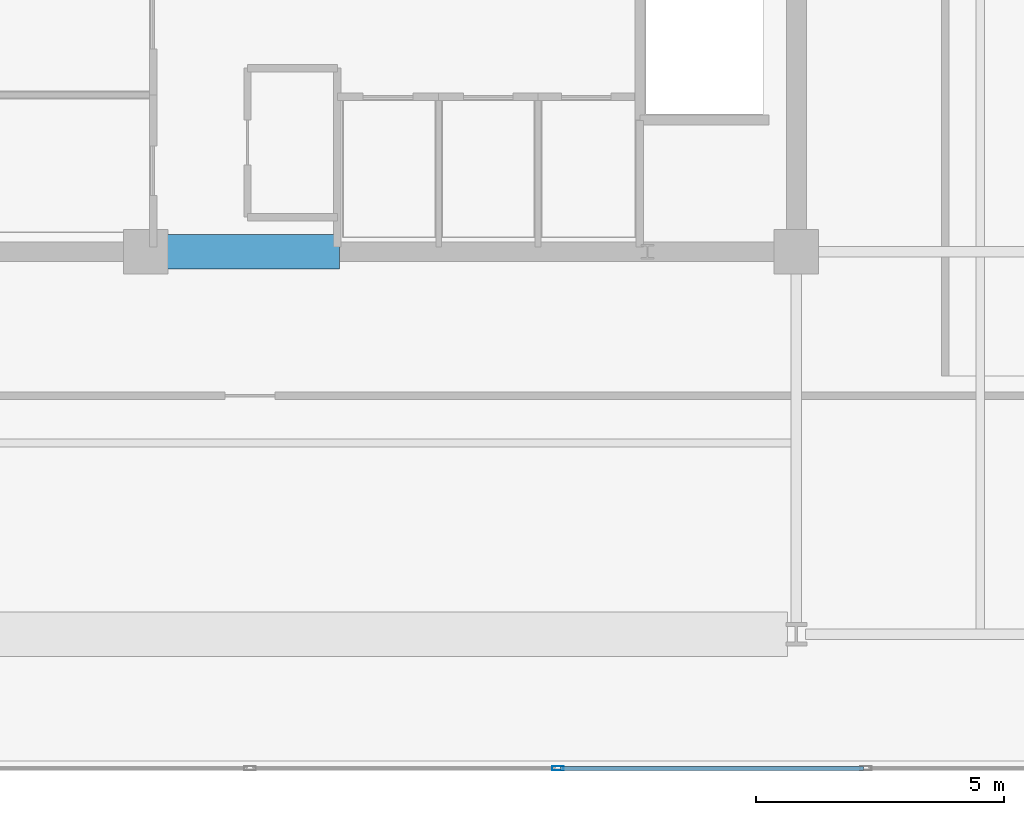
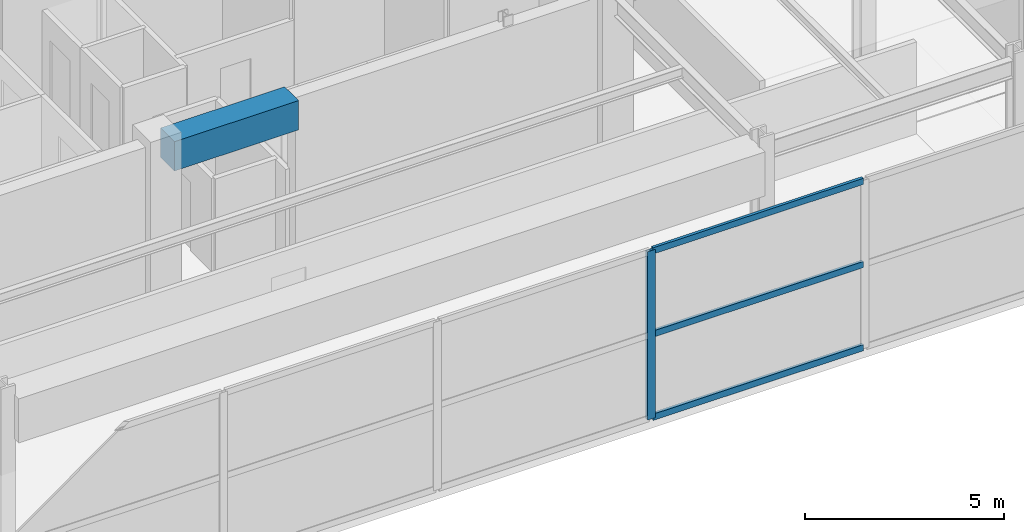
# One storey, part 6 of 24: 4 members, 1 beam, 1 element without a shape of its own.
"""IFC4 building model written with IfcOpenShell, lengths in metres."""

from ifc_helpers import new_model, si_unit, direction, frame, origin, origin_2d, place, context, subcontext, project, spatial, rectangle, hollow_rectangle, extrude, material, material_profile, profile_set, type_object, element, aggregate, save


model = new_model("IFC4")

# Units and contexts
model_context = context("Model", 3, precision=1e-05, world=origin(), true_north=direction((0.0, 1.0)))
body_context = subcontext(model_context, "Body", "Model", "MODEL_VIEW")
ifc_project = project(units=[si_unit("LENGTHUNIT", "METRE"), si_unit("AREAUNIT", "SQUARE_METRE"), si_unit("VOLUMEUNIT", "CUBIC_METRE"), si_unit("PLANEANGLEUNIT", "RADIAN"), si_unit("MASSUNIT", "GRAM", prefix="KILO")], contexts=[model_context])

# Site, building, storey
site_placement = place(None, origin())
site = spatial("IfcSite", under=ifc_project, at=site_placement, CompositionType="ELEMENT")
building_placement = place(site_placement, origin())
building = spatial("IfcBuilding", under=site, at=building_placement, Name="Kovane Verandah Tower", CompositionType="ELEMENT")
storey_placement = place(building_placement, frame((0.0, 0.0, 348.800048828125)))
storey = spatial("IfcBuildingStorey", under=building, at=storey_placement, Name="L81", CompositionType="ELEMENT", Elevation=348.800048828125)

# Beam
ifc_material_1 = material(Name="Concrete C60/75", Category="concrete")
ifc_material_profile_1 = material_profile(ifc_material_1, rectangle(XDim=0.699951171875, YDim=0.89990234375, at=origin_2d()), Name="RCB700x900")
ifc_profile_set_1 = profile_set([ifc_material_profile_1], Name="Concrete C60/75")
beam_type = type_object("IfcBeamType", Name="BM-LINTEL-700x900", PredefinedType="LINTEL", material=ifc_profile_set_1)
beam_placement = place(storey_placement, frame((38.199951171875, 18.5, 4.75), z_axis=(1.0, 0.0, 0.0), x_axis=(0.0, 1.0, 0.0)))
element("IfcBeam", 1, at=beam_placement, inside=storey, type_object=beam_type, Name="L81 Core Coupling Lintel CL-S", PredefinedType="LINTEL", context=body_context, shape_type="SweptSolid", body=[
    extrude(rectangle(XDim=0.699951171875, YDim=0.89990234375, at=origin_2d()), origin(), (0.0, 0.0, 1.0), 3.60009765625),
])

# Curtain wall, members
ifc_material_2 = material(Name="Champagne Anodised Aluminium Frame with Low-E Clear Laminated Glass", Category="aluminium")
curtain_wall_type = type_object("IfcCurtainWallType", Name="CW-SYS-06-CROWN", PredefinedType="NOTDEFINED", material=ifc_material_2)
curtain_wall_placement = place(storey_placement, origin())
curtain_wall = element("IfcCurtainWall", 2, at=curtain_wall_placement, inside=storey, type_object=curtain_wall_type, Name="L81 S Unitised Curtain Wall", PredefinedType="NOTDEFINED")
ifc_material_3 = material(Name="Champagne Anodised Aluminium 6063-T6", Category="aluminium")
ifc_material_profile_2 = material_profile(ifc_material_3, hollow_rectangle(XDim=0.0849609375, YDim=0.22998046875, WallThickness=0.00390625, at=origin_2d()), Name="AL85x230x4")
ifc_profile_set_2 = profile_set([ifc_material_profile_2], Name="Champagne Anodised Aluminium 6063-T6")
member_type_1 = type_object("IfcMemberType", Name="CW-MUL-85x230", PredefinedType="MULLION", material=ifc_profile_set_2)
member_1_placement = place(storey_placement, frame((46.199951171875, 8.10009765625, 0.02001953125), z_axis=(0.0, 0.0, 1.0), x_axis=(0.0, -1.0, 0.0)))
member_1 = element("IfcMember", 3, at=member_1_placement, type_object=member_type_1, Name="L81 S Unitised Curtain Wall Mullion 5", PredefinedType="MULLION", context=body_context, shape_type="SweptSolid", body=[
    extrude(hollow_rectangle(XDim=0.0849609375, YDim=0.22998046875, WallThickness=0.00390625, at=origin_2d()), origin(), (0.0, 0.0, 1.0), 5.159912109375),
])
ifc_material_profile_3 = material_profile(ifc_material_3, hollow_rectangle(XDim=0.0849609375, YDim=0.18994140625, WallThickness=0.00390625, at=origin_2d()), Name="AL85x190x4")
ifc_profile_set_3 = profile_set([ifc_material_profile_3], Name="Champagne Anodised Aluminium 6063-T6")
member_type_2 = type_object("IfcMemberType", Name="CW-TRN-85x190", PredefinedType="USERDEFINED", material=ifc_profile_set_3)
member_2_placement = place(storey_placement, frame((46.25, 8.10009765625, 0.050048828125), z_axis=(1.0, 0.0, 0.0), x_axis=(0.0, 1.0, 0.0)))
member_2 = element("IfcMember", 4, at=member_2_placement, type_object=member_type_2, Name="L81 S Unitised Curtain Wall Transom TB Bay 5", ObjectType="TRANSOM", PredefinedType="USERDEFINED", context=body_context, shape_type="SweptSolid", body=[
    extrude(hollow_rectangle(XDim=0.0849609375, YDim=0.18994140625, WallThickness=0.00390625, at=origin_2d()), origin(), (0.0, 0.0, 1.0), 6.10009765625),
])
member_3_placement = place(storey_placement, frame((46.25, 8.10009765625, 2.599853515625), z_axis=(1.0, 0.0, 0.0), x_axis=(0.0, 1.0, 0.0)))
member_3 = element("IfcMember", 5, at=member_3_placement, type_object=member_type_2, Name="L81 S Unitised Curtain Wall Transom TM Bay 5", ObjectType="TRANSOM", PredefinedType="USERDEFINED", context=body_context, shape_type="SweptSolid", body=[
    extrude(hollow_rectangle(XDim=0.0849609375, YDim=0.18994140625, WallThickness=0.00390625, at=origin_2d()), origin(), (0.0, 0.0, 1.0), 6.10009765625),
])
member_4_placement = place(storey_placement, frame((46.25, 8.10009765625, 5.14990234375), z_axis=(1.0, 0.0, 0.0), x_axis=(0.0, 1.0, 0.0)))
member_4 = element("IfcMember", 6, at=member_4_placement, type_object=member_type_2, Name="L81 S Unitised Curtain Wall Transom TT Bay 5", ObjectType="TRANSOM", PredefinedType="USERDEFINED", context=body_context, shape_type="SweptSolid", body=[
    extrude(hollow_rectangle(XDim=0.0849609375, YDim=0.18994140625, WallThickness=0.00390625, at=origin_2d()), origin(), (0.0, 0.0, 1.0), 6.10009765625),
])
aggregate(curtain_wall, [member_1, member_2, member_3, member_4])

save(model, "model.ifc")
